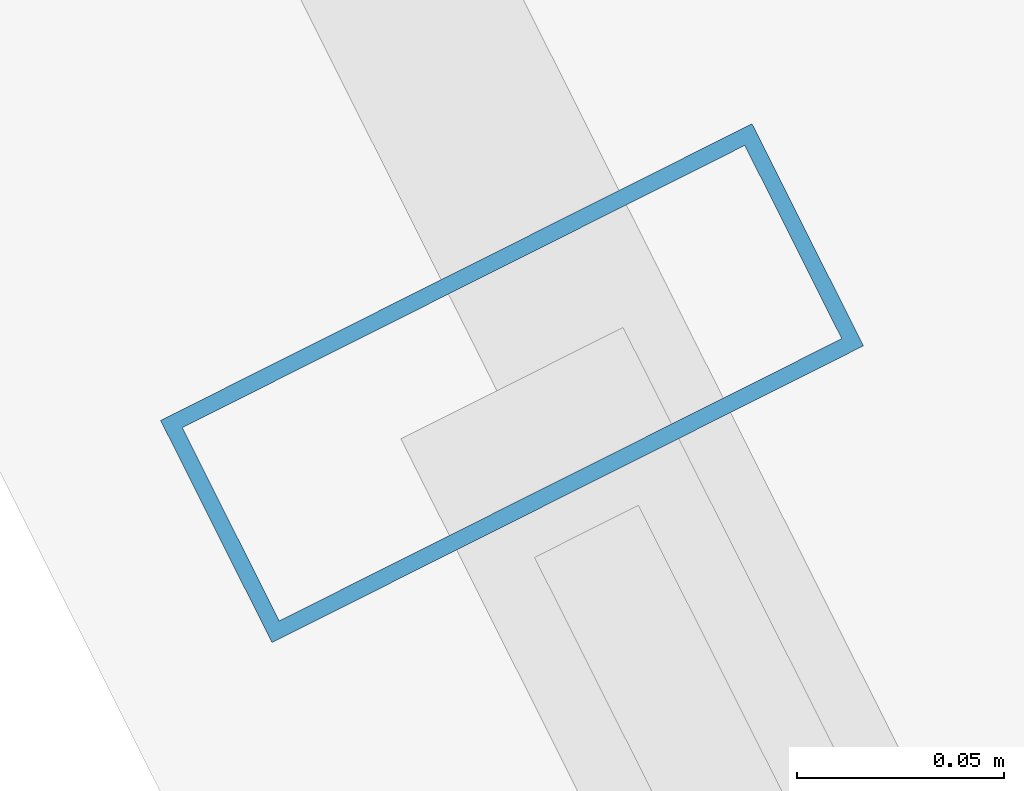
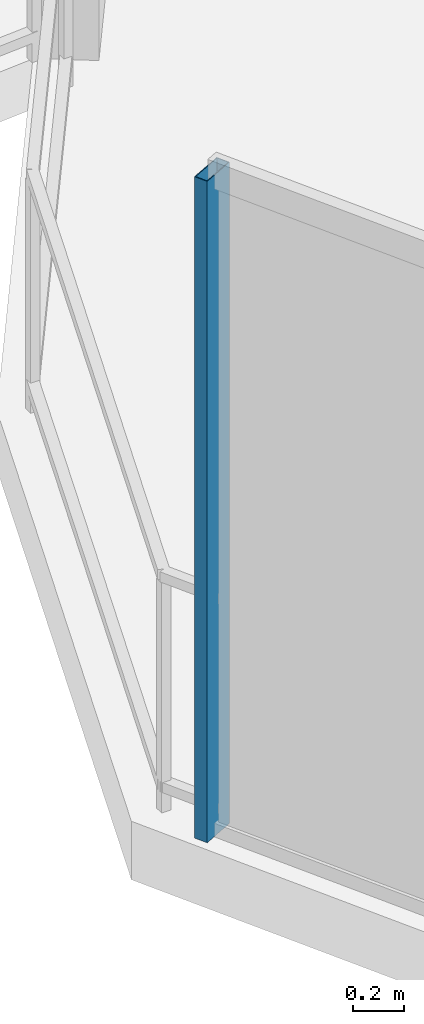
# One storey, part 14 of 28: 1 member, 1 element without a shape of its own.
"""IFC4 building model written with IfcOpenShell, lengths in metres."""

from ifc_helpers import new_model, si_unit, direction, frame, origin, origin_2d, place, context, subcontext, project, spatial, hollow_rectangle, extrude, material, layer, layer_set, material_profile, profile_set, type_object, element, aggregate, save


model = new_model("IFC4")

# Units and contexts
model_context = context("Model", 3, precision=1e-05, world=origin(), true_north=direction((0.0, 1.0)))
body_context = subcontext(model_context, "Body", "Model", "MODEL_VIEW")
ifc_project = project(units=[si_unit("LENGTHUNIT", "METRE"), si_unit("AREAUNIT", "SQUARE_METRE"), si_unit("VOLUMEUNIT", "CUBIC_METRE"), si_unit("PLANEANGLEUNIT", "RADIAN"), si_unit("MASSUNIT", "GRAM", prefix="KILO")], contexts=[model_context])

# Site, building, storey
site_placement = place(None, origin())
site = spatial("IfcSite", under=ifc_project, at=site_placement, CompositionType="ELEMENT")
building_placement = place(site_placement, origin())
building = spatial("IfcBuilding", under=site, at=building_placement, Name="Qarnah Convention Tower", CompositionType="ELEMENT")
storey_placement = place(building_placement, frame((0.0, 0.0, 54.60009765625)))
storey = spatial("IfcBuildingStorey", under=building, at=storey_placement, Name="L13", CompositionType="ELEMENT", Elevation=54.60009765625)

# Curtain wall, member
ifc_material_1 = material(Name="Tempered Low-E dark glass", Category="glass")
ifc_layer = layer(ifc_material_1, 0.16796875)
ifc_layer_set = layer_set([ifc_layer], Name="Tempered Low-E dark glass")
curtain_wall_type = type_object("IfcCurtainWallType", Name="CWS-01", PredefinedType="NOTDEFINED", material=ifc_layer_set)
curtain_wall_placement = place(storey_placement, origin())
curtain_wall = element("IfcCurtainWall", 1, at=curtain_wall_placement, inside=storey, type_object=curtain_wall_type, Name="L13 unitised curtain wall CW-L13-F2", PredefinedType="NOTDEFINED")
ifc_material_2 = material(Name="Black anodised aluminium", Category="aluminium")
ifc_material_profile = material_profile(ifc_material_2, hollow_rectangle(XDim=0.06005859375, YDim=0.159912109375, WallThickness=0.00390625, at=origin_2d()), Name="MUL-60X160")
ifc_profile_set = profile_set([ifc_material_profile], Name="Black anodised aluminium")
member_type = type_object("IfcMemberType", Name="MUL-T1", PredefinedType="MULLION", material=ifc_profile_set)
member_placement = place(storey_placement, frame((13.7080078125, 33.14794921875, 0.0), z_axis=(0.0, 0.0, 1.0), x_axis=(-0.448382607671, 0.893841729356, 0.0)))
member = element("IfcMember", 2, at=member_placement, type_object=member_type, Name="CW-L13-F2 mullion 6", PredefinedType="MULLION", context=body_context, shape_type="SweptSolid", body=[
    extrude(hollow_rectangle(XDim=0.06005859375, YDim=0.159912109375, WallThickness=0.00390625, at=origin_2d()), origin(), (0.0, 0.0, 1.0), 3.169921875),
])
aggregate(curtain_wall, [member])

save(model, "model.ifc")
